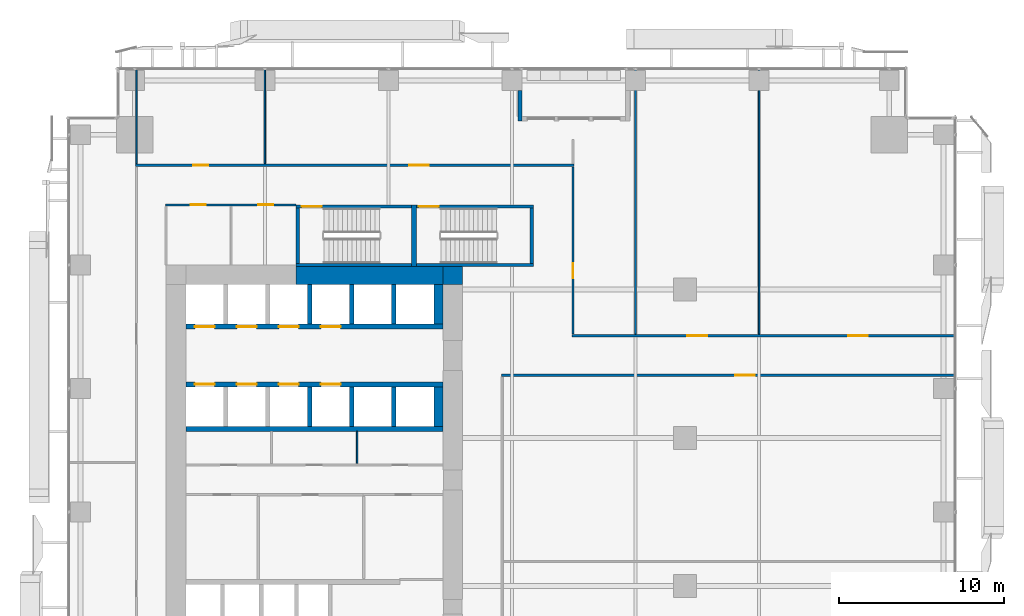
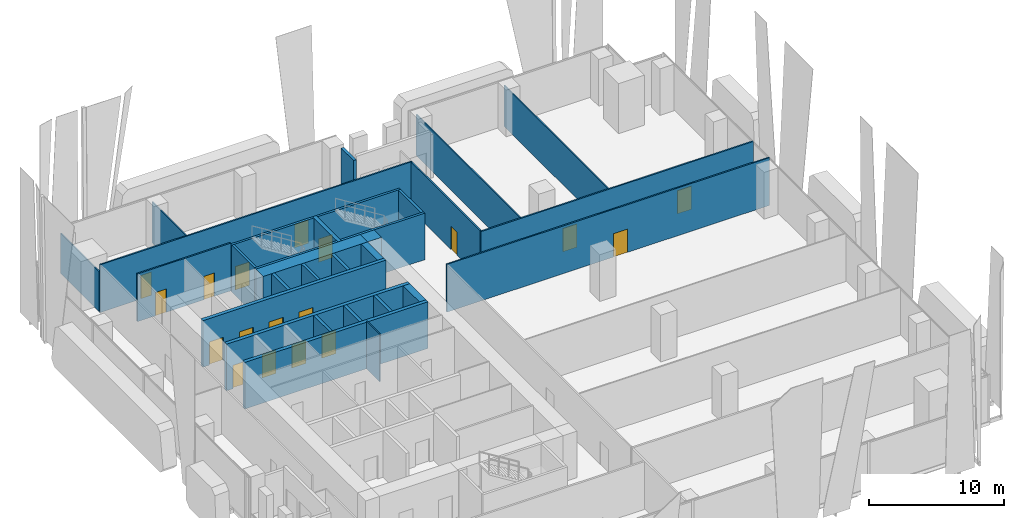
# One storey, part 30 of 36: 31 walls, 18 doors, 18 openings.
"""IFC4 building model written with IfcOpenShell, lengths in metres."""

import ifcopenshell
import ifcopenshell.guid

model = None  # the IFC model being written
_history = None  # IfcOwnerHistory: only IFC2X3 demands one
_inside = {}  # id of a spatial element -> (the spatial element, [elements in it])
_under = {}  # id of a project, library or spatial element -> (it, [spatial elements below it])
_declared = {}  # id of a project -> (the project, [libraries it declares])
_typed = {}  # id of a type object -> (the type object, [elements of that type])
_made_of = {}  # id of a material, layer set ... -> (it, [elements and type objects made of it])


def new_model(schema):
    """Start an empty IFC model of exactly this schema.

    Asked for "IFC4X3", IfcOpenShell would pick the latest addendum, in which some entities
    have other attributes; the version numbers below select the first issue.
    IFC2X3 requires an IfcOwnerHistory on every rooted entity: one is made here for all.
    """
    global model, _history
    if schema == "IFC4X3":
        model = ifcopenshell.file(schema_version=(4, 3, 0, 0))
    else:
        model = ifcopenshell.file(schema=schema)
    _inside.clear()
    _under.clear()
    _declared.clear()
    _typed.clear()
    _made_of.clear()
    _history = None
    if model.schema == "IFC2X3":
        org = make("IfcOrganization", Name="unknown")
        user = make(
            "IfcPersonAndOrganization",
            ThePerson=make("IfcPerson", FamilyName="unknown"),
            TheOrganization=org,
        )
        app = make(
            "IfcApplication",
            ApplicationDeveloper=org,
            Version="unknown",
            ApplicationFullName="unknown",
            ApplicationIdentifier="unknown",
        )
        _history = make(
            "IfcOwnerHistory",
            OwningUser=user,
            OwningApplication=app,
            ChangeAction="ADDED",
            CreationDate=0,
        )
    return model


def make(cls, **values):
    """One entity of the class cls with the attributes given. An attribute that is None is left unset."""
    return model.create_entity(
        cls, **{name: value for name, value in values.items() if value is not None}
    )


def rooted(cls, **values):
    """An entity with a GlobalId (a new one), such as an element, a storey or a relation."""
    return make(cls, GlobalId=ifcopenshell.guid.new(), OwnerHistory=_history, **values)


def si_unit(unit_type, name, prefix=None):
    """IfcSIUnit, for example si_unit("LENGTHUNIT", "METRE", prefix="MILLI")."""
    return make("IfcSIUnit", UnitType=unit_type, Prefix=prefix, Name=name)


def assignment(units):
    """IfcUnitAssignment: the units of a project."""
    return None if units is None else make("IfcUnitAssignment", Units=units)


def point(xyz):
    """IfcCartesianPoint."""
    return None if xyz is None else make("IfcCartesianPoint", Coordinates=xyz)


def direction(xyz):
    """IfcDirection."""
    return None if xyz is None else make("IfcDirection", DirectionRatios=xyz)


def frame(location, z_axis=None, x_axis=None):
    """IfcAxis2Placement3D, a coordinate frame: its origin and axes. An axis left out is left unset."""
    return make(
        "IfcAxis2Placement3D",
        Location=point(location),
        Axis=direction(z_axis),
        RefDirection=direction(x_axis),
    )


def frame_2d(location, x_axis=None):
    """IfcAxis2Placement2D, a coordinate frame in the plane: its origin and x axis."""
    return make(
        "IfcAxis2Placement2D", Location=point(location), RefDirection=direction(x_axis)
    )


def origin():
    """The frame at (0, 0, 0) with its axes left unset."""
    return frame((0.0, 0.0, 0.0))


def place(relative_to, where):
    """IfcLocalPlacement: puts the frame where relative to a parent placement (None: the world)."""
    return make(
        "IfcLocalPlacement", PlacementRelTo=relative_to, RelativePlacement=where
    )


def context(
    kind, dimensions, precision=None, world=None, true_north=None, identifier=None
):
    """IfcGeometricRepresentationContext, for example the 3D "Model" context."""
    return make(
        "IfcGeometricRepresentationContext",
        ContextIdentifier=identifier,
        ContextType=kind,
        CoordinateSpaceDimension=dimensions,
        Precision=precision,
        WorldCoordinateSystem=world,
        TrueNorth=true_north,
    )


def subcontext(parent, identifier, kind, view, scale=None):
    """IfcGeometricRepresentationSubContext, for example "Body" below "Model"."""
    return make(
        "IfcGeometricRepresentationSubContext",
        ContextIdentifier=identifier,
        ContextType=kind,
        ParentContext=parent,
        TargetScale=scale,
        TargetView=view,
    )


def project(units=None, contexts=None):
    """IfcProject with its units and contexts."""
    return rooted(
        "IfcProject",
        Name="project",
        RepresentationContexts=contexts,
        UnitsInContext=assignment(units),
    )


def spatial(cls, under=None, at=None, **own):
    """A site, building, storey or space (cls), placed at a placement, below another one or the project."""
    s = rooted(cls, ObjectPlacement=at, **own)
    if under is not None:
        _under.setdefault(under.id(), (under, []))[1].append(s)
    return s


def profile(cls, at=None, kind="AREA", **sizes):
    """A parametric profile (cls). Its sizes go by their IFC names, for example OverallWidth=200.0."""
    return make(cls, ProfileType=kind, Position=at, **sizes)


def rectangle(**sizes):
    """IfcRectangleProfileDef."""
    return profile("IfcRectangleProfileDef", **sizes)


def extrude(swept, where, along, depth):
    """IfcExtrudedAreaSolid: the profile swept, set in the frame where, extruded along a direction by depth."""
    return make(
        "IfcExtrudedAreaSolid",
        SweptArea=swept,
        Position=where,
        ExtrudedDirection=direction(along),
        Depth=depth,
    )


def shape(context_of_items, identifier, shape_type, items):
    """IfcShapeRepresentation: the items that make up one representation, for example the "Body"."""
    return make(
        "IfcShapeRepresentation",
        ContextOfItems=context_of_items,
        RepresentationIdentifier=identifier,
        RepresentationType=shape_type,
        Items=items,
    )


def source(mapping_origin, context_of_items, identifier, shape_type, items):
    """IfcRepresentationMap: a shape defined once, which mapped items show again and again."""
    return make(
        "IfcRepresentationMap",
        MappingOrigin=mapping_origin,
        MappedRepresentation=shape(context_of_items, identifier, shape_type, items),
    )


def transform(
    local_origin,
    x_axis=None,
    y_axis=None,
    z_axis=None,
    scale=None,
    scale2=None,
    scale3=None,
    uniform=True,
):
    """IfcCartesianTransformationOperator3D, or its non-uniform kind. x_axis, y_axis, z_axis: its Axis1, 2, 3."""
    if uniform:
        return make(
            "IfcCartesianTransformationOperator3D",
            Axis1=direction(x_axis),
            Axis2=direction(y_axis),
            LocalOrigin=point(local_origin),
            Scale=scale,
            Axis3=direction(z_axis),
        )
    return make(
        "IfcCartesianTransformationOperator3DnonUniform",
        Axis1=direction(x_axis),
        Axis2=direction(y_axis),
        LocalOrigin=point(local_origin),
        Scale=scale,
        Axis3=direction(z_axis),
        Scale2=scale2,
        Scale3=scale3,
    )


def mapped(mapping_source, mapping_target):
    """IfcMappedItem: shows the shape of a source again, moved by a transform."""
    return make(
        "IfcMappedItem", MappingSource=mapping_source, MappingTarget=mapping_target
    )


def material(Name=None, Category=None):
    """IfcMaterial."""
    return make("IfcMaterial", Name=Name, Category=Category)


def layer(
    of_material, thickness, ventilated=None, Name=None, Category=None, Priority=None
):
    """IfcMaterialLayer: one layer of a wall or slab, of a material (None: an air gap)."""
    return make(
        "IfcMaterialLayer",
        Material=of_material,
        LayerThickness=thickness,
        IsVentilated=ventilated,
        Name=Name,
        Category=Category,
        Priority=Priority,
    )


def layer_set(layers, Name=None):
    """IfcMaterialLayerSet."""
    return make("IfcMaterialLayerSet", MaterialLayers=layers, LayerSetName=Name)


def made_of(thing, what):
    """Note that an element or type object is made of a material, layer set ...; save() writes the relation."""
    if what is not None:
        _made_of.setdefault(what.id(), (what, []))[1].append(thing)
    return thing


def type_object(cls, material=None, **own):
    """A type object (cls), such as IfcWallType, which elements share."""
    return made_of(rooted(cls, **own), material)


def element(
    cls,
    number,
    at=None,
    inside=None,
    cuts=None,
    type_object=None,
    material=None,
    context=None,
    identifier="Body",
    shape_type=None,
    held_by="IfcProductDefinitionShape",
    body=None,
    shapes=None,
    **own,
):
    """One element of the class cls, such as IfcWall. Its Tag is "e" and its number.

    at: its placement. inside: the storey or other place that contains it. cuts: it is an
    opening in that element (IfcRelVoidsElement). A single representation is given by context,
    identifier, shape_type and body (its items); several are given by shapes. held_by: the class
    of the entity that holds the representations. save() writes the other relations.
    """
    e = rooted(cls, Tag="e%d" % number, ObjectPlacement=at, **own)
    if body is not None:
        shapes = [shape(context, identifier, shape_type, body)]
    if shapes is not None:
        e.Representation = make(held_by, Representations=shapes)
    if inside is not None:
        _inside.setdefault(inside.id(), (inside, []))[1].append(e)
    if cuts is not None:
        rooted(
            "IfcRelVoidsElement", RelatingBuildingElement=cuts, RelatedOpeningElement=e
        )
    if type_object is not None:
        _typed.setdefault(type_object.id(), (type_object, []))[1].append(e)
    return made_of(e, material)


def fill(opening, filler):
    """IfcRelFillsElement: the door or window that sits in an opening."""
    return rooted(
        "IfcRelFillsElement",
        RelatingOpeningElement=opening,
        RelatedBuildingElement=filler,
    )


def aggregate(whole, parts):
    """IfcRelAggregates: a whole, such as a stair, and the parts it consists of."""
    return rooted("IfcRelAggregates", RelatingObject=whole, RelatedObjects=parts)


def save(model, path):
    """Write the relations noted so far, then the file.

    IfcRelAggregates (storeys below a building ...), IfcRelContainedInSpatialStructure (elements
    in a storey), IfcRelDefinesByType, IfcRelAssociatesMaterial and IfcRelDeclares: one each for
    every whole, place, type object, material and project.
    """
    for whole, parts in _under.values():
        aggregate(whole, parts)
    for where, things in _inside.values():
        rooted(
            "IfcRelContainedInSpatialStructure",
            RelatedElements=things,
            RelatingStructure=where,
        )
    for kind, things in _typed.values():
        rooted("IfcRelDefinesByType", RelatedObjects=things, RelatingType=kind)
    for what, things in _made_of.values():
        rooted("IfcRelAssociatesMaterial", RelatedObjects=things, RelatingMaterial=what)
    for by, libraries in _declared.values():
        rooted("IfcRelDeclares", RelatingContext=by, RelatedDefinitions=libraries)
    model.write(path)


model = new_model("IFC4")

# Units and contexts
model_context = context("Model", 3, precision=1e-05, world=origin(), true_north=direction((0.0, 1.0)))
body_context = subcontext(model_context, "Body", "Model", "MODEL_VIEW")
ifc_project = project(units=[si_unit("LENGTHUNIT", "METRE"), si_unit("AREAUNIT", "SQUARE_METRE"), si_unit("VOLUMEUNIT", "CUBIC_METRE"), si_unit("PLANEANGLEUNIT", "RADIAN"), si_unit("MASSUNIT", "GRAM", prefix="KILO")], contexts=[model_context])

# Site, building, storey
site_placement = place(None, origin())
site = spatial("IfcSite", under=ifc_project, at=site_placement, CompositionType="ELEMENT")
building_placement = place(site_placement, origin())
building = spatial("IfcBuilding", under=site, at=building_placement, Name="Khomas Fold Tower", CompositionType="ELEMENT")
storey_placement = place(building_placement, frame((0.0, 0.0, 46.5)))
storey = spatial("IfcBuildingStorey", under=building, at=storey_placement, Name="L09", CompositionType="ELEMENT", Elevation=46.5)

# Walls
ifc_material_1 = material(Name="Concrete C70/85", Category="concrete")
ifc_layer_1 = layer(ifc_material_1, 1.10009765625)
ifc_layer_set_1 = layer_set([ifc_layer_1], Name="Concrete C70/85")
wall_type_1 = type_object("IfcWallType", Name="Core wall 1100", PredefinedType="SHEAR", material=ifc_layer_set_1)
shared_shape_1 = source(origin(), body_context, "Body", "SweptSolid", [
    extrude(rectangle(XDim=8.900146484375, YDim=1.10009765625, at=frame_2d((4.4501953125, 0.0))), origin(), (0.0, 0.0, 1.0), 4.199951171875),
])
wall_1_placement = place(storey_placement, frame((13.89990234375, 41.35009765625, 0.0), z_axis=(0.0, 0.0, 1.0), x_axis=(1.0, 0.0, 0.0)))
element("IfcWall", 1, at=wall_1_placement, inside=storey, type_object=wall_type_1, Name="Core wall CW-L-N-B2-1", PredefinedType="SHEAR", context=body_context, shape_type="MappedRepresentation", body=[
    mapped(shared_shape_1, transform((0.0, 0.0, 0.0))),
])
ifc_material_2 = material(Name="Concrete C70/85", Category="concrete")
ifc_layer_2 = layer(ifc_material_2, 1.10009765625)
ifc_layer_set_2 = layer_set([ifc_layer_2], Name="Concrete C70/85")
wall_type_2 = type_object("IfcWallType", Name="Core corner wall 1100", PredefinedType="SHEAR", material=ifc_layer_set_2)
shared_shape_2 = source(origin(), body_context, "Body", "SweptSolid", [
    extrude(rectangle(XDim=1.199951171875, YDim=1.10009765625, at=frame_2d((0.60009765625, 0.0))), origin(), (0.0, 0.0, 1.0), 4.199951171875),
])
wall_2_placement = place(storey_placement, frame((22.800048828125, 41.35009765625, 0.0), z_axis=(0.0, 0.0, 1.0), x_axis=(1.0, 0.0, 0.0)))
element("IfcWall", 2, at=wall_2_placement, inside=storey, type_object=wall_type_2, Name="Core wall CW-L-NE-B2", PredefinedType="SHEAR", context=body_context, shape_type="MappedRepresentation", body=[
    mapped(shared_shape_2, transform((0.0, 0.0, 0.0))),
])

# Wall, opening, door
ifc_material_3 = material(Name="Concrete C50/60", Category="concrete")
ifc_layer_3 = layer(ifc_material_3, 0.199951171875)
ifc_layer_set_3 = layer_set([ifc_layer_3], Name="Concrete C50/60")
wall_type_3 = type_object("IfcWallType", Name="Stair wall 200", PredefinedType="SHEAR", material=ifc_layer_set_3)
shared_shape_3 = source(origin(), body_context, "Body", "SweptSolid", [
    extrude(rectangle(XDim=7.0, YDim=0.199951171875, at=frame_2d((3.5, 0.0))), origin(), (0.0, 0.0, 1.0), 4.199951171875),
])
wall_3_placement = place(storey_placement, frame((13.89990234375, 45.550048828125, 0.0), z_axis=(0.0, 0.0, 1.0), x_axis=(1.0, 0.0, 0.0)))
wall_3 = element("IfcWall", 3, at=wall_3_placement, inside=storey, type_object=wall_type_3, Name="Stair wall SW-ST1-N", PredefinedType="SHEAR", context=body_context, shape_type="MappedRepresentation", body=[
    mapped(shared_shape_3, transform((0.0, 0.0, 0.0))),
])
shared_shape_4 = source(origin(), body_context, "Body", "SweptSolid", [
    extrude(rectangle(XDim=1.199951171875, YDim=2.10009765625, at=frame_2d((0.60009765625, 1.050048828125))), frame((0.0, 0.10986328125, 0.0), z_axis=(0.0, -1.0, 0.0), x_axis=(1.0, 0.0, 0.0)), (0.0, 0.0, 1.0), 0.219970703125),
])
opening_1_placement = place(wall_3_placement, frame((0.35009765625, 0.0, 0.0)))
opening_1 = element("IfcOpeningElement", 4, at=opening_1_placement, cuts=wall_3, Name="Opening SD-ST1", PredefinedType="OPENING", context=body_context, shape_type="MappedRepresentation", body=[
    mapped(shared_shape_4, transform((0.0, 0.0, 0.0))),
])
ifc_material_4 = material(Name="Steel door leaf", Category="steel")
door_type_1 = type_object("IfcDoorType", Name="Stair door 1200x2100 left-hand", OperationType="SINGLE_SWING_LEFT", PredefinedType="DOOR", material=ifc_material_4)
shared_shape_5 = source(origin(), body_context, "Body", "SweptSolid", [
    extrude(rectangle(XDim=1.199951171875, YDim=2.10009765625, at=frame_2d((0.60009765625, 1.050048828125))), frame((0.0, 0.02490234375, 0.0), z_axis=(0.0, -1.0, 0.0), x_axis=(1.0, 0.0, 0.0)), (0.0, 0.0, 1.0), 0.050048828125),
])
door_1_placement = place(opening_1_placement, origin())
door_1 = element("IfcDoor", 5, at=door_1_placement, inside=storey, type_object=door_type_1, Name="Stair door", OperationType="SINGLE_SWING_LEFT", OverallHeight=2.10009765625, OverallWidth=1.199951171875, PredefinedType="DOOR", context=body_context, shape_type="MappedRepresentation", body=[
    mapped(shared_shape_5, transform((0.0, 0.0, 0.0))),
])
fill(opening_1, door_1)

# Wall
wall_4_placement = place(storey_placement, frame((13.89990234375, 42.0, 0.0), z_axis=(0.0, 0.0, 1.0), x_axis=(1.0, 0.0, 0.0)))
element("IfcWall", 6, at=wall_4_placement, inside=storey, type_object=wall_type_3, Name="Stair wall SW-ST1-S", PredefinedType="SHEAR", context=body_context, shape_type="MappedRepresentation", body=[
    mapped(shared_shape_3, transform((0.0, 0.0, 0.0))),
])

# Wall, opening, door
shared_shape_6 = source(origin(), body_context, "Body", "SweptSolid", [
    extrude(rectangle(XDim=7.10009765625, YDim=0.199951171875, at=frame_2d((3.550048828125, 0.0))), origin(), (0.0, 0.0, 1.0), 4.199951171875),
])
wall_5_placement = place(storey_placement, frame((21.199951171875, 45.550048828125, 0.0), z_axis=(0.0, 0.0, 1.0), x_axis=(1.0, 0.0, 0.0)))
wall_5 = element("IfcWall", 7, at=wall_5_placement, inside=storey, type_object=wall_type_3, Name="Stair wall SW-ST3-N", PredefinedType="SHEAR", context=body_context, shape_type="MappedRepresentation", body=[
    mapped(shared_shape_6, transform((0.0, 0.0, 0.0))),
])
opening_2_placement = place(wall_5_placement, frame((0.14990234375, 0.0, 0.0)))
opening_2 = element("IfcOpeningElement", 8, at=opening_2_placement, cuts=wall_5, Name="Opening SD-ST3", PredefinedType="OPENING", context=body_context, shape_type="MappedRepresentation", body=[
    mapped(shared_shape_4, transform((0.0, 0.0, 0.0))),
])
door_2_placement = place(opening_2_placement, origin())
door_2 = element("IfcDoor", 9, at=door_2_placement, inside=storey, type_object=door_type_1, Name="Stair door", OperationType="SINGLE_SWING_LEFT", OverallHeight=2.10009765625, OverallWidth=1.199951171875, PredefinedType="DOOR", context=body_context, shape_type="MappedRepresentation", body=[
    mapped(shared_shape_5, transform((0.0, 0.0, 0.0))),
])
fill(opening_2, door_2)

# Walls
wall_6_placement = place(storey_placement, frame((21.199951171875, 42.0, 0.0), z_axis=(0.0, 0.0, 1.0), x_axis=(1.0, 0.0, 0.0)))
element("IfcWall", 10, at=wall_6_placement, inside=storey, type_object=wall_type_3, Name="Stair wall SW-ST3-S", PredefinedType="SHEAR", context=body_context, shape_type="MappedRepresentation", body=[
    mapped(shared_shape_6, transform((0.0, 0.0, 0.0))),
])
ifc_material_5 = material(Name="Concrete C50/60", Category="concrete")
ifc_layer_4 = layer(ifc_material_5, 0.300048828125)
ifc_layer_set_4 = layer_set([ifc_layer_4], Name="Concrete C50/60")
wall_type_4 = type_object("IfcWallType", Name="Stair wall 300", PredefinedType="SHEAR", material=ifc_layer_set_4)
shared_shape_7 = source(origin(), body_context, "Body", "SweptSolid", [
    extrude(rectangle(XDim=3.75, YDim=0.300048828125, at=frame_2d((1.875, 0.0))), origin(), (0.0, 0.0, 1.0), 4.199951171875),
])
wall_7_placement = place(storey_placement, frame((21.050048828125, 41.89990234375, 0.0), z_axis=(0.0, 0.0, 1.0), x_axis=(0.0, 1.0, 0.0)))
element("IfcWall", 11, at=wall_7_placement, inside=storey, type_object=wall_type_4, Name="Stair wall SW-ST1-E", PredefinedType="SHEAR", context=body_context, shape_type="MappedRepresentation", body=[
    mapped(shared_shape_7, transform((0.0, 0.0, 0.0))),
])
shared_shape_8 = source(origin(), body_context, "Body", "SweptSolid", [
    extrude(rectangle(XDim=3.349853515625, YDim=0.199951171875, at=frame_2d((1.6748046875, 0.0))), origin(), (0.0, 0.0, 1.0), 4.199951171875),
])
for number, where, z_axis, x_axis, name in (
    (12, (14.0, 42.10009765625, 0.0), (0.0, 0.0, 1.0), (0.0, 1.0, 0.0), "Stair wall SW-ST1-W"),
    (13, (28.199951171875, 42.10009765625, 0.0), (0.0, 0.0, 1.0), (0.0, 1.0, 0.0), "Stair wall SW-ST3-E"),
):
    element("IfcWall", number, at=place(storey_placement, frame(where, z_axis=z_axis, x_axis=x_axis)), inside=storey, type_object=wall_type_3, Name=name, PredefinedType="SHEAR", context=body_context, shape_type="MappedRepresentation", body=[
        mapped(shared_shape_8, transform((0.0, 0.0, 0.0))),
    ])
ifc_material_6 = material(Name="Concrete C50/60", Category="concrete")
ifc_layer_5 = layer(ifc_material_6, 0.300048828125)
ifc_layer_set_5 = layer_set([ifc_layer_5], Name="Concrete C50/60")
wall_type_5 = type_object("IfcWallType", Name="Shaft wall 300", PredefinedType="STANDARD", material=ifc_layer_set_5)
shared_shape_9 = source(origin(), body_context, "Body", "SweptSolid", [
    extrude(rectangle(XDim=15.60009765625, YDim=0.300048828125, at=frame_2d((7.800048828125, 0.0))), origin(), (0.0, 0.0, 1.0), 4.199951171875),
])
wall_8_placement = place(storey_placement, frame((7.199951171875, 32.050048828125, 0.0), z_axis=(0.0, 0.0, 1.0), x_axis=(1.0, 0.0, 0.0)))
element("IfcWall", 14, at=wall_8_placement, inside=storey, type_object=wall_type_5, Name="Core wall SW-HRN-B", PredefinedType="STANDARD", context=body_context, shape_type="MappedRepresentation", body=[
    mapped(shared_shape_9, transform((0.0, 0.0, 0.0))),
])

# Wall, openings, doors
wall_9_placement = place(storey_placement, frame((7.199951171875, 38.25, 0.0), z_axis=(0.0, 0.0, 1.0), x_axis=(1.0, 0.0, 0.0)))
wall_9 = element("IfcWall", 15, at=wall_9_placement, inside=storey, type_object=wall_type_5, Name="Core wall SW-LRN-F", PredefinedType="STANDARD", context=body_context, shape_type="MappedRepresentation", body=[
    mapped(shared_shape_9, transform((0.0, 0.0, 0.0))),
])
shared_shape_10 = source(origin(), body_context, "Body", "SweptSolid", [
    extrude(rectangle(XDim=1.199951171875, YDim=2.10009765625, at=frame_2d((0.60009765625, 1.050048828125))), frame((0.0, 0.159912109375, 0.0), z_axis=(0.0, -1.0, 0.0), x_axis=(1.0, 0.0, 0.0)), (0.0, 0.0, 1.0), 0.320068359375),
])
opening_3_placement = place(wall_9_placement, frame((0.550048828125, 0.0, 0.0)))
opening_3 = element("IfcOpeningElement", 16, at=opening_3_placement, cuts=wall_9, Name="Opening LD-LR5", PredefinedType="OPENING", context=body_context, shape_type="MappedRepresentation", body=[
    mapped(shared_shape_10, transform((0.0, 0.0, 0.0))),
])
opening_4_placement = place(wall_9_placement, frame((3.10009765625, 0.0, 0.0)))
opening_4 = element("IfcOpeningElement", 17, at=opening_4_placement, cuts=wall_9, Name="Opening LD-LR6", PredefinedType="OPENING", context=body_context, shape_type="MappedRepresentation", body=[
    mapped(shared_shape_10, transform((0.0, 0.0, 0.0))),
])
opening_5_placement = place(wall_9_placement, frame((5.64990234375, 0.0, 0.0)))
opening_5 = element("IfcOpeningElement", 18, at=opening_5_placement, cuts=wall_9, Name="Opening LD-LR7", PredefinedType="OPENING", context=body_context, shape_type="MappedRepresentation", body=[
    mapped(shared_shape_10, transform((0.0, 0.0, 0.0))),
])
opening_6_placement = place(wall_9_placement, frame((8.199951171875, 0.0, 0.0)))
opening_6 = element("IfcOpeningElement", 19, at=opening_6_placement, cuts=wall_9, Name="Opening LD-LR8", PredefinedType="OPENING", context=body_context, shape_type="MappedRepresentation", body=[
    mapped(shared_shape_10, transform((0.0, 0.0, 0.0))),
])
ifc_material_7 = material(Name="Steel door leaf", Category="steel")
door_type_2 = type_object("IfcDoorType", Name="Landing door 1200x2100", OperationType="DOUBLE_DOOR_SLIDING", PredefinedType="DOOR", material=ifc_material_7)
door_3_placement = place(opening_3_placement, origin())
door_3 = element("IfcDoor", 20, at=door_3_placement, inside=storey, type_object=door_type_2, Name="Lift landing door", OperationType="DOUBLE_DOOR_SLIDING", OverallHeight=2.10009765625, OverallWidth=1.199951171875, PredefinedType="DOOR", context=body_context, shape_type="MappedRepresentation", body=[
    mapped(shared_shape_5, transform((0.0, 0.0, 0.0))),
])
fill(opening_3, door_3)
door_4_placement = place(opening_4_placement, origin())
door_4 = element("IfcDoor", 21, at=door_4_placement, inside=storey, type_object=door_type_2, Name="Lift landing door", OperationType="DOUBLE_DOOR_SLIDING", OverallHeight=2.10009765625, OverallWidth=1.199951171875, PredefinedType="DOOR", context=body_context, shape_type="MappedRepresentation", body=[
    mapped(shared_shape_5, transform((0.0, 0.0, 0.0))),
])
fill(opening_4, door_4)
door_5_placement = place(opening_5_placement, origin())
door_5 = element("IfcDoor", 22, at=door_5_placement, inside=storey, type_object=door_type_2, Name="Lift landing door", OperationType="DOUBLE_DOOR_SLIDING", OverallHeight=2.10009765625, OverallWidth=1.199951171875, PredefinedType="DOOR", context=body_context, shape_type="MappedRepresentation", body=[
    mapped(shared_shape_5, transform((0.0, 0.0, 0.0))),
])
fill(opening_5, door_5)
door_6_placement = place(opening_6_placement, origin())
door_6 = element("IfcDoor", 23, at=door_6_placement, inside=storey, type_object=door_type_2, Name="Lift landing door", OperationType="DOUBLE_DOOR_SLIDING", OverallHeight=2.10009765625, OverallWidth=1.199951171875, PredefinedType="DOOR", context=body_context, shape_type="MappedRepresentation", body=[
    mapped(shared_shape_5, transform((0.0, 0.0, 0.0))),
])
fill(opening_6, door_6)

wall_10_placement = place(storey_placement, frame((7.199951171875, 34.75, 0.0), z_axis=(0.0, 0.0, 1.0), x_axis=(1.0, 0.0, 0.0)))
wall_10 = element("IfcWall", 24, at=wall_10_placement, inside=storey, type_object=wall_type_5, Name="Core wall SW-LRS-F", PredefinedType="STANDARD", context=body_context, shape_type="MappedRepresentation", body=[
    mapped(shared_shape_9, transform((0.0, 0.0, 0.0))),
])
opening_7_placement = place(wall_10_placement, frame((0.550048828125, 0.0, 0.0)))
opening_7 = element("IfcOpeningElement", 25, at=opening_7_placement, cuts=wall_10, Name="Opening LD-LR1", PredefinedType="OPENING", context=body_context, shape_type="MappedRepresentation", body=[
    mapped(shared_shape_10, transform((0.0, 0.0, 0.0))),
])
opening_8_placement = place(wall_10_placement, frame((3.10009765625, 0.0, 0.0)))
opening_8 = element("IfcOpeningElement", 26, at=opening_8_placement, cuts=wall_10, Name="Opening LD-LR2", PredefinedType="OPENING", context=body_context, shape_type="MappedRepresentation", body=[
    mapped(shared_shape_10, transform((0.0, 0.0, 0.0))),
])
opening_9_placement = place(wall_10_placement, frame((5.64990234375, 0.0, 0.0)))
opening_9 = element("IfcOpeningElement", 27, at=opening_9_placement, cuts=wall_10, Name="Opening LD-LR3", PredefinedType="OPENING", context=body_context, shape_type="MappedRepresentation", body=[
    mapped(shared_shape_10, transform((0.0, 0.0, 0.0))),
])
opening_10_placement = place(wall_10_placement, frame((8.199951171875, 0.0, 0.0)))
opening_10 = element("IfcOpeningElement", 28, at=opening_10_placement, cuts=wall_10, Name="Opening LD-LR4", PredefinedType="OPENING", context=body_context, shape_type="MappedRepresentation", body=[
    mapped(shared_shape_10, transform((0.0, 0.0, 0.0))),
])
door_7_placement = place(opening_7_placement, origin())
door_7 = element("IfcDoor", 29, at=door_7_placement, inside=storey, type_object=door_type_2, Name="Lift landing door", OperationType="DOUBLE_DOOR_SLIDING", OverallHeight=2.10009765625, OverallWidth=1.199951171875, PredefinedType="DOOR", context=body_context, shape_type="MappedRepresentation", body=[
    mapped(shared_shape_5, transform((0.0, 0.0, 0.0))),
])
fill(opening_7, door_7)
door_8_placement = place(opening_8_placement, origin())
door_8 = element("IfcDoor", 30, at=door_8_placement, inside=storey, type_object=door_type_2, Name="Lift landing door", OperationType="DOUBLE_DOOR_SLIDING", OverallHeight=2.10009765625, OverallWidth=1.199951171875, PredefinedType="DOOR", context=body_context, shape_type="MappedRepresentation", body=[
    mapped(shared_shape_5, transform((0.0, 0.0, 0.0))),
])
fill(opening_8, door_8)
door_9_placement = place(opening_9_placement, origin())
door_9 = element("IfcDoor", 31, at=door_9_placement, inside=storey, type_object=door_type_2, Name="Lift landing door", OperationType="DOUBLE_DOOR_SLIDING", OverallHeight=2.10009765625, OverallWidth=1.199951171875, PredefinedType="DOOR", context=body_context, shape_type="MappedRepresentation", body=[
    mapped(shared_shape_5, transform((0.0, 0.0, 0.0))),
])
fill(opening_9, door_9)
door_10_placement = place(opening_10_placement, origin())
door_10 = element("IfcDoor", 32, at=door_10_placement, inside=storey, type_object=door_type_2, Name="Lift landing door", OperationType="DOUBLE_DOOR_SLIDING", OverallHeight=2.10009765625, OverallWidth=1.199951171875, PredefinedType="DOOR", context=body_context, shape_type="MappedRepresentation", body=[
    mapped(shared_shape_5, transform((0.0, 0.0, 0.0))),
])
fill(opening_10, door_10)

# Walls
ifc_material_8 = material(Name="Concrete C50/60", Category="concrete")
ifc_layer_6 = layer(ifc_material_8, 0.25)
ifc_layer_set_6 = layer_set([ifc_layer_6], Name="Concrete C50/60")
wall_type_6 = type_object("IfcWallType", Name="Shaft wall 250", PredefinedType="STANDARD", material=ifc_layer_set_6)
shared_shape_11 = source(origin(), body_context, "Body", "SweptSolid", [
    extrude(rectangle(XDim=2.400146484375, YDim=0.25, at=frame_2d((1.2001953125, 0.0))), origin(), (0.0, 0.0, 1.0), 4.199951171875),
])
for number, where, z_axis, x_axis, name in (
    (33, (14.72509765625, 38.39990234375, 0.0), (0.0, 0.0, 1.0), (0.0, 1.0, 0.0), "Core wall SW-LRN-P3"),
    (34, (17.27490234375, 38.39990234375, 0.0), (0.0, 0.0, 1.0), (0.0, 1.0, 0.0), "Core wall SW-LRN-P4"),
    (35, (19.824951171875, 38.39990234375, 0.0), (0.0, 0.0, 1.0), (0.0, 1.0, 0.0), "Core wall SW-LRN-P5"),
    (36, (14.72509765625, 32.199951171875, 0.0), (0.0, 0.0, 1.0), (0.0, 1.0, 0.0), "Core wall SW-LRS-P3"),
    (37, (17.27490234375, 32.199951171875, 0.0), (0.0, 0.0, 1.0), (0.0, 1.0, 0.0), "Core wall SW-LRS-P4"),
    (38, (19.824951171875, 32.199951171875, 0.0), (0.0, 0.0, 1.0), (0.0, 1.0, 0.0), "Core wall SW-LRS-P5"),
):
    element("IfcWall", number, at=place(storey_placement, frame(where, z_axis=z_axis, x_axis=x_axis)), inside=storey, type_object=wall_type_6, Name=name, PredefinedType="STANDARD", context=body_context, shape_type="MappedRepresentation", body=[
        mapped(shared_shape_11, transform((0.0, 0.0, 0.0))),
    ])
ifc_material_9 = material(Name="Concrete C50/60", Category="concrete")
ifc_layer_7 = layer(ifc_material_9, 0.550048828125)
ifc_layer_set_7 = layer_set([ifc_layer_7], Name="Concrete C50/60")
wall_type_7 = type_object("IfcWallType", Name="Shaft wall 550", PredefinedType="STANDARD", material=ifc_layer_set_7)
shared_shape_12 = source(origin(), body_context, "Body", "SweptSolid", [
    extrude(rectangle(XDim=2.400146484375, YDim=0.550048828125, at=frame_2d((1.2001953125, 0.0))), origin(), (0.0, 0.0, 1.0), 4.199951171875),
])
for number, where, z_axis, x_axis, name in (
    (39, (22.52490234375, 38.39990234375, 0.0), (0.0, 0.0, 1.0), (0.0, 1.0, 0.0), "Core wall SW-LRN-PE"),
    (40, (22.52490234375, 32.199951171875, 0.0), (0.0, 0.0, 1.0), (0.0, 1.0, 0.0), "Core wall SW-LRS-PE"),
):
    element("IfcWall", number, at=place(storey_placement, frame(where, z_axis=z_axis, x_axis=x_axis)), inside=storey, type_object=wall_type_7, Name=name, PredefinedType="STANDARD", context=body_context, shape_type="MappedRepresentation", body=[
        mapped(shared_shape_12, transform((0.0, 0.0, 0.0))),
    ])
ifc_material_10 = material(Name="Natural stone", Category="masonry")
ifc_layer_8 = layer(ifc_material_10, 0.0400390625)
ifc_material_11 = material(Name="Mineral wool insulation", Category="insulation")
ifc_layer_9 = layer(ifc_material_11, 0.10009765625)
ifc_material_12 = material(Name="Masonry", Category="masonry")
ifc_layer_10 = layer(ifc_material_12, 0.110107421875)
ifc_layer_set_8 = layer_set([ifc_layer_8, ifc_layer_9, ifc_layer_10], Name="Stone-faced insulated masonry")
wall_type_8 = type_object("IfcWallType", Name="BL-Balcony wall", PredefinedType="SOLIDWALL", material=ifc_layer_set_8)
shared_shape_13 = source(origin(), body_context, "Body", "SweptSolid", [
    extrude(rectangle(XDim=1.85009765625, YDim=0.25, at=frame_2d((0.925048828125, 0.0))), origin(), (0.0, 0.0, 1.0), 3.89990234375),
])
wall_11_placement = place(storey_placement, frame((27.47509765625, 52.60009765625, 0.0), z_axis=(0.0, 0.0, 1.0), x_axis=(0.0, -1.0, 0.0)))
element("IfcWall", 41, at=wall_11_placement, inside=storey, type_object=wall_type_8, Name="Balcony return wall BAL-L09-N3-lo", PredefinedType="SOLIDWALL", context=body_context, shape_type="MappedRepresentation", body=[
    mapped(shared_shape_13, transform((0.0, 0.0, 0.0))),
])

# Wall, opening, door
ifc_material_13 = material(Name="Plasterboard partition")
ifc_layer_11 = layer(ifc_material_13, 0.125)
ifc_layer_set_9 = layer_set([ifc_layer_11], Name="Plasterboard partition")
wall_type_9 = type_object("IfcWallType", Name="Partition PW2 125", PredefinedType="PARTITIONING", material=ifc_layer_set_9)
shared_shape_14 = source(origin(), body_context, "Body", "SweptSolid", [
    extrude(rectangle(XDim=27.5, YDim=0.125, at=frame_2d((13.75, 0.0))), origin(), (0.0, 0.0, 1.0), 4.300048828125),
])
wall_12_placement = place(storey_placement, frame((26.35009765625, 35.300048828125, 0.0), z_axis=(0.0, 0.0, 1.0), x_axis=(1.0, 0.0, 0.0)))
wall_12 = element("IfcWall", 42, at=wall_12_placement, inside=storey, type_object=wall_type_9, Name="Partition", PredefinedType="PARTITIONING", context=body_context, shape_type="MappedRepresentation", body=[
    mapped(shared_shape_14, transform((0.0, 0.0, 0.0))),
])
shared_shape_15 = source(origin(), body_context, "Body", "SweptSolid", [
    extrude(rectangle(XDim=1.199951171875, YDim=2.10009765625, at=frame_2d((0.60009765625, 1.050048828125))), frame((0.0, 0.072509765625, 0.0), z_axis=(0.0, -1.0, 0.0), x_axis=(1.0, 0.0, 0.0)), (0.0, 0.0, 1.0), 0.14501953125),
])
opening_11_placement = place(wall_12_placement, frame((14.199951171875, 0.0, 0.0)))
opening_11 = element("IfcOpeningElement", 43, at=opening_11_placement, cuts=wall_12, Name="Opening 0013", PredefinedType="OPENING", context=body_context, shape_type="MappedRepresentation", body=[
    mapped(shared_shape_15, transform((0.0, 0.0, 0.0))),
])
ifc_material_14 = material(Name="Timber door leaf", Category="wood")
door_type_3 = type_object("IfcDoorType", Name="Door 1200x2100 left-hand", OperationType="SINGLE_SWING_LEFT", PredefinedType="DOOR", material=ifc_material_14)
door_11_placement = place(opening_11_placement, origin())
door_11 = element("IfcDoor", 44, at=door_11_placement, inside=storey, type_object=door_type_3, Name="Door", OperationType="SINGLE_SWING_LEFT", OverallHeight=2.10009765625, OverallWidth=1.199951171875, PredefinedType="DOOR", context=body_context, shape_type="MappedRepresentation", body=[
    mapped(shared_shape_5, transform((0.0, 0.0, 0.0))),
])
fill(opening_11, door_11)

# Wall, openings, doors
shared_shape_16 = source(origin(), body_context, "Body", "SweptSolid", [
    extrude(rectangle(XDim=23.2001953125, YDim=0.125, at=frame_2d((11.60009765625, 0.0))), origin(), (0.0, 0.0, 1.0), 4.300048828125),
])
wall_13_placement = place(storey_placement, frame((30.64990234375, 37.699951171875, 0.0), z_axis=(0.0, 0.0, 1.0), x_axis=(1.0, 0.0, 0.0)))
wall_13 = element("IfcWall", 45, at=wall_13_placement, inside=storey, type_object=wall_type_9, Name="Partition", PredefinedType="PARTITIONING", context=body_context, shape_type="MappedRepresentation", body=[
    mapped(shared_shape_16, transform((0.0, 0.0, 0.0))),
])
opening_12_placement = place(wall_13_placement, frame((7.0, 0.0, 0.0)))
opening_12 = element("IfcOpeningElement", 46, at=opening_12_placement, cuts=wall_13, Name="Opening 0001", PredefinedType="OPENING", context=body_context, shape_type="MappedRepresentation", body=[
    mapped(shared_shape_15, transform((0.0, 0.0, 0.0))),
])
opening_13_placement = place(wall_13_placement, frame((16.75, 0.0, 0.0)))
opening_13 = element("IfcOpeningElement", 47, at=opening_13_placement, cuts=wall_13, Name="Opening 0013", PredefinedType="OPENING", context=body_context, shape_type="MappedRepresentation", body=[
    mapped(shared_shape_15, transform((0.0, 0.0, 0.0))),
])
ifc_material_15 = material(Name="Timber door leaf", Category="wood")
door_type_4 = type_object("IfcDoorType", Name="Door 1200x2100 right-hand", OperationType="SINGLE_SWING_RIGHT", PredefinedType="DOOR", material=ifc_material_15)
door_12_placement = place(opening_12_placement, origin())
door_12 = element("IfcDoor", 48, at=door_12_placement, inside=storey, type_object=door_type_4, Name="Door", OperationType="SINGLE_SWING_RIGHT", OverallHeight=2.10009765625, OverallWidth=1.199951171875, PredefinedType="DOOR", context=body_context, shape_type="MappedRepresentation", body=[
    mapped(shared_shape_5, transform((0.0, 0.0, 0.0))),
])
fill(opening_12, door_12)
door_13_placement = place(opening_13_placement, origin())
door_13 = element("IfcDoor", 49, at=door_13_placement, inside=storey, type_object=door_type_3, Name="Door", OperationType="SINGLE_SWING_LEFT", OverallHeight=2.10009765625, OverallWidth=1.199951171875, PredefinedType="DOOR", context=body_context, shape_type="MappedRepresentation", body=[
    mapped(shared_shape_5, transform((0.0, 0.0, 0.0))),
])
fill(opening_13, door_13)

# Wall, opening, door
shared_shape_17 = source(origin(), body_context, "Body", "SweptSolid", [
    extrude(rectangle(XDim=10.14990234375, YDim=0.125, at=frame_2d((5.074951171875, 0.0))), origin(), (0.0, 0.0, 1.0), 4.300048828125),
])
wall_14_placement = place(storey_placement, frame((30.699951171875, 37.800048828125, 0.0), z_axis=(0.0, 0.0, 1.0), x_axis=(0.0, 1.0, 0.0)))
wall_14 = element("IfcWall", 50, at=wall_14_placement, inside=storey, type_object=wall_type_9, Name="Partition", PredefinedType="PARTITIONING", context=body_context, shape_type="MappedRepresentation", body=[
    mapped(shared_shape_17, transform((0.0, 0.0, 0.0))),
])
shared_shape_18 = source(origin(), body_context, "Body", "SweptSolid", [
    extrude(rectangle(XDim=0.89990234375, YDim=2.10009765625, at=frame_2d((0.449951171875, 1.050048828125))), frame((0.0, 0.072509765625, 0.0), z_axis=(0.0, -1.0, 0.0), x_axis=(1.0, 0.0, 0.0)), (0.0, 0.0, 1.0), 0.14501953125),
])
opening_14_placement = place(wall_14_placement, frame((3.39990234375, 0.0, 0.0)))
opening_14 = element("IfcOpeningElement", 51, at=opening_14_placement, cuts=wall_14, Name="Opening 0007", PredefinedType="OPENING", context=body_context, shape_type="MappedRepresentation", body=[
    mapped(shared_shape_18, transform((0.0, 0.0, 0.0))),
])
ifc_material_16 = material(Name="Timber door leaf", Category="wood")
door_type_5 = type_object("IfcDoorType", Name="Door 900x2100 left-hand", OperationType="SINGLE_SWING_LEFT", PredefinedType="DOOR", material=ifc_material_16)
shared_shape_19 = source(origin(), body_context, "Body", "SweptSolid", [
    extrude(rectangle(XDim=0.89990234375, YDim=2.10009765625, at=frame_2d((0.449951171875, 1.050048828125))), frame((0.0, 0.02490234375, 0.0), z_axis=(0.0, -1.0, 0.0), x_axis=(1.0, 0.0, 0.0)), (0.0, 0.0, 1.0), 0.050048828125),
])
door_14_placement = place(opening_14_placement, origin())
door_14 = element("IfcDoor", 52, at=door_14_placement, inside=storey, type_object=door_type_5, Name="Door", OperationType="SINGLE_SWING_LEFT", OverallHeight=2.10009765625, OverallWidth=0.89990234375, PredefinedType="DOOR", context=body_context, shape_type="MappedRepresentation", body=[
    mapped(shared_shape_19, transform((0.0, 0.0, 0.0))),
])
fill(opening_14, door_14)

# Walls
ifc_material_17 = material(Name="Plasterboard partition")
ifc_layer_12 = layer(ifc_material_17, 0.10009765625)
ifc_layer_set_10 = layer_set([ifc_layer_12], Name="Plasterboard partition")
wall_type_10 = type_object("IfcWallType", Name="Partition PW1 100", PredefinedType="PARTITIONING", material=ifc_layer_set_10)
shared_shape_20 = source(origin(), body_context, "Body", "SweptSolid", [
    extrude(rectangle(XDim=16.050048828125, YDim=0.10009765625, at=frame_2d((8.02490234375, 0.0))), origin(), (0.0, 0.0, 1.0), 3.699951171875),
])
for number, where, z_axis, x_axis, name in (
    (53, (34.5, 37.800048828125, 0.0), (0.0, 0.0, 1.0), (0.0, 1.0, 0.0), "Partition"),
    (54, (42.0, 37.800048828125, 0.0), (0.0, 0.0, 1.0), (0.0, 1.0, 0.0), "Partition"),
):
    element("IfcWall", number, at=place(storey_placement, frame(where, z_axis=z_axis, x_axis=x_axis)), inside=storey, type_object=wall_type_10, Name=name, PredefinedType="PARTITIONING", context=body_context, shape_type="MappedRepresentation", body=[
        mapped(shared_shape_20, transform((0.0, 0.0, 0.0))),
    ])

# Wall, openings, doors
shared_shape_21 = source(origin(), body_context, "Body", "SweptSolid", [
    extrude(rectangle(XDim=7.949951171875, YDim=0.125, at=frame_2d((3.97509765625, 0.0))), origin(), (0.0, 0.0, 1.0), 4.300048828125),
])
wall_15_placement = place(storey_placement, frame((5.949951171875, 45.64990234375, 0.0), z_axis=(0.0, 0.0, 1.0), x_axis=(1.0, 0.0, 0.0)))
wall_15 = element("IfcWall", 55, at=wall_15_placement, inside=storey, type_object=wall_type_9, Name="Partition", PredefinedType="PARTITIONING", context=body_context, shape_type="MappedRepresentation", body=[
    mapped(shared_shape_21, transform((0.0, 0.0, 0.0))),
])
opening_15_placement = place(wall_15_placement, frame((1.550048828125, 0.0, 0.0)))
opening_15 = element("IfcOpeningElement", 56, at=opening_15_placement, cuts=wall_15, Name="Opening 0007", PredefinedType="OPENING", context=body_context, shape_type="MappedRepresentation", body=[
    mapped(shared_shape_18, transform((0.0, 0.0, 0.0))),
])
opening_16_placement = place(wall_15_placement, frame((5.64990234375, 0.0, 0.0)))
opening_16 = element("IfcOpeningElement", 57, at=opening_16_placement, cuts=wall_15, Name="Opening 0008", PredefinedType="OPENING", context=body_context, shape_type="MappedRepresentation", body=[
    mapped(shared_shape_18, transform((0.0, 0.0, 0.0))),
])
door_15_placement = place(opening_15_placement, origin())
door_15 = element("IfcDoor", 58, at=door_15_placement, inside=storey, type_object=door_type_5, Name="Door", OperationType="SINGLE_SWING_LEFT", OverallHeight=2.10009765625, OverallWidth=0.89990234375, PredefinedType="DOOR", context=body_context, shape_type="MappedRepresentation", body=[
    mapped(shared_shape_19, transform((0.0, 0.0, 0.0))),
])
fill(opening_15, door_15)
ifc_material_18 = material(Name="Timber door leaf", Category="wood")
door_type_6 = type_object("IfcDoorType", Name="Door 900x2100 right-hand", OperationType="SINGLE_SWING_RIGHT", PredefinedType="DOOR", material=ifc_material_18)
door_16_placement = place(opening_16_placement, origin())
door_16 = element("IfcDoor", 59, at=door_16_placement, inside=storey, type_object=door_type_6, Name="Door", OperationType="SINGLE_SWING_RIGHT", OverallHeight=2.10009765625, OverallWidth=0.89990234375, PredefinedType="DOOR", context=body_context, shape_type="MappedRepresentation", body=[
    mapped(shared_shape_19, transform((0.0, 0.0, 0.0))),
])
fill(opening_16, door_16)

# Walls
shared_shape_22 = source(origin(), body_context, "Body", "SweptSolid", [
    extrude(rectangle(XDim=5.7001953125, YDim=0.10009765625, at=frame_2d((2.85009765625, 0.0))), origin(), (0.0, 0.0, 1.0), 3.699951171875),
])
wall_16_placement = place(storey_placement, frame((12.0, 48.14990234375, 0.0), z_axis=(0.0, 0.0, 1.0), x_axis=(0.0, 1.0, 0.0)))
element("IfcWall", 60, at=wall_16_placement, inside=storey, type_object=wall_type_10, Name="Partition", PredefinedType="PARTITIONING", context=body_context, shape_type="MappedRepresentation", body=[
    mapped(shared_shape_22, transform((0.0, 0.0, 0.0))),
])
shared_shape_23 = source(origin(), body_context, "Body", "SweptSolid", [
    extrude(rectangle(XDim=1.949951171875, YDim=0.10009765625, at=frame_2d((0.97509765625, 0.0))), origin(), (0.0, 0.0, 1.0), 4.300048828125),
])
wall_17_placement = place(storey_placement, frame((17.60009765625, 29.949951171875, 0.0), z_axis=(0.0, 0.0, 1.0), x_axis=(0.0, 1.0, 0.0)))
element("IfcWall", 61, at=wall_17_placement, inside=storey, type_object=wall_type_10, Name="Partition", PredefinedType="PARTITIONING", context=body_context, shape_type="MappedRepresentation", body=[
    mapped(shared_shape_23, transform((0.0, 0.0, 0.0))),
])

# Wall, openings, doors
shared_shape_24 = source(origin(), body_context, "Body", "SweptSolid", [
    extrude(rectangle(XDim=26.60009765625, YDim=0.125, at=frame_2d((13.300048828125, 0.0))), origin(), (0.0, 0.0, 1.0), 4.300048828125),
])
wall_18_placement = place(storey_placement, frame((4.14990234375, 48.050048828125, 0.0), z_axis=(0.0, 0.0, 1.0), x_axis=(1.0, 0.0, 0.0)))
wall_18 = element("IfcWall", 62, at=wall_18_placement, inside=storey, type_object=wall_type_9, Name="Partition", PredefinedType="PARTITIONING", context=body_context, shape_type="MappedRepresentation", body=[
    mapped(shared_shape_24, transform((0.0, 0.0, 0.0))),
])
opening_17_placement = place(wall_18_placement, frame((3.5, 0.0, 0.0)))
opening_17 = element("IfcOpeningElement", 63, at=opening_17_placement, cuts=wall_18, Name="Opening 0008", PredefinedType="OPENING", context=body_context, shape_type="MappedRepresentation", body=[
    mapped(shared_shape_18, transform((0.0, 0.0, 0.0))),
])
opening_18_placement = place(wall_18_placement, frame((16.60009765625, 0.0, 0.0)))
opening_18 = element("IfcOpeningElement", 64, at=opening_18_placement, cuts=wall_18, Name="Opening 0013", PredefinedType="OPENING", context=body_context, shape_type="MappedRepresentation", body=[
    mapped(shared_shape_15, transform((0.0, 0.0, 0.0))),
])
door_17_placement = place(opening_17_placement, origin())
door_17 = element("IfcDoor", 65, at=door_17_placement, inside=storey, type_object=door_type_6, Name="Door", OperationType="SINGLE_SWING_RIGHT", OverallHeight=2.10009765625, OverallWidth=0.89990234375, PredefinedType="DOOR", context=body_context, shape_type="MappedRepresentation", body=[
    mapped(shared_shape_19, transform((0.0, 0.0, 0.0))),
])
fill(opening_17, door_17)
door_18_placement = place(opening_18_placement, origin())
door_18 = element("IfcDoor", 66, at=door_18_placement, inside=storey, type_object=door_type_3, Name="Door", OperationType="SINGLE_SWING_LEFT", OverallHeight=2.10009765625, OverallWidth=1.199951171875, PredefinedType="DOOR", context=body_context, shape_type="MappedRepresentation", body=[
    mapped(shared_shape_5, transform((0.0, 0.0, 0.0))),
])
fill(opening_18, door_18)

# Wall
shared_shape_25 = source(origin(), body_context, "Body", "SweptSolid", [
    extrude(rectangle(XDim=5.7001953125, YDim=0.10009765625, at=frame_2d((2.85009765625, 0.0))), origin(), (0.0, 0.0, 1.0), 3.60009765625),
])
wall_19_placement = place(storey_placement, frame((4.199951171875, 48.14990234375, 0.0), z_axis=(0.0, 0.0, 1.0), x_axis=(0.0, 1.0, 0.0)))
element("IfcWall", 67, at=wall_19_placement, inside=storey, type_object=wall_type_10, Name="Partition", PredefinedType="PARTITIONING", context=body_context, shape_type="MappedRepresentation", body=[
    mapped(shared_shape_25, transform((0.0, 0.0, 0.0))),
])

save(model, "model.ifc")
